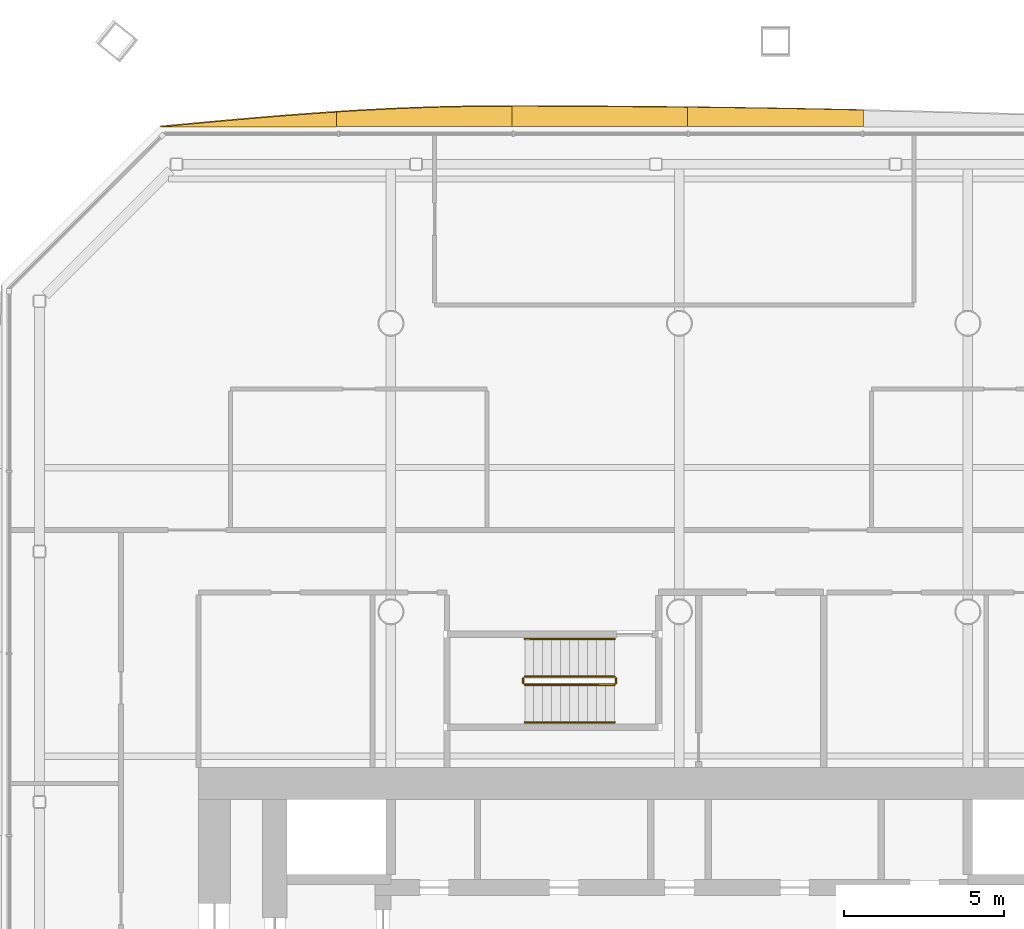
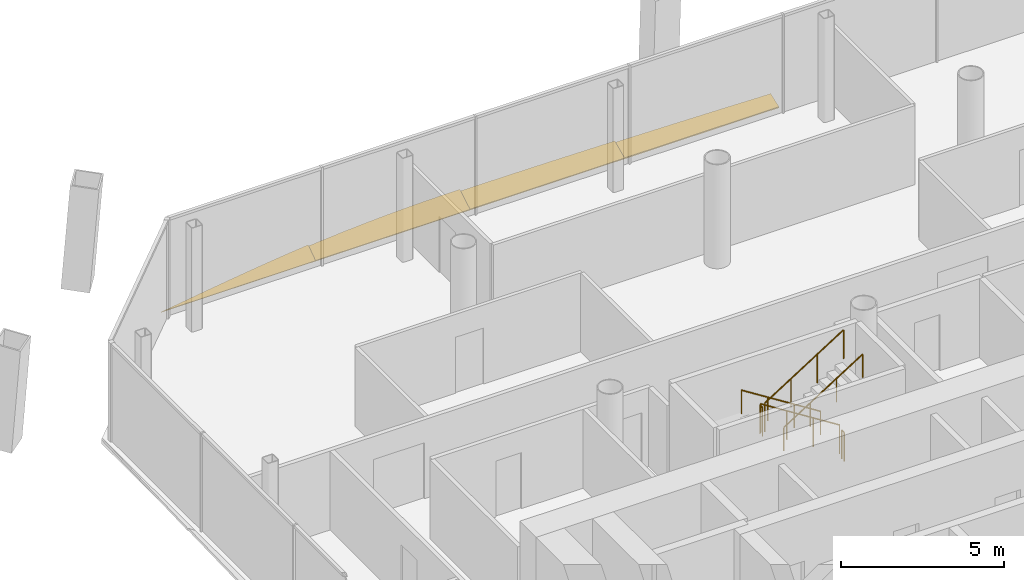
# One storey, part 18 of 19: 6 railings, 4 shading devices.
"""IFC4 building model written with IfcOpenShell, lengths in metres."""

import ifcopenshell
import ifcopenshell.guid

model = None  # the IFC model being written
_history = None  # IfcOwnerHistory: only IFC2X3 demands one
_inside = {}  # id of a spatial element -> (the spatial element, [elements in it])
_under = {}  # id of a project, library or spatial element -> (it, [spatial elements below it])
_declared = {}  # id of a project -> (the project, [libraries it declares])
_typed = {}  # id of a type object -> (the type object, [elements of that type])
_made_of = {}  # id of a material, layer set ... -> (it, [elements and type objects made of it])


def new_model(schema):
    """Start an empty IFC model of exactly this schema.

    Asked for "IFC4X3", IfcOpenShell would pick the latest addendum, in which some entities
    have other attributes; the version numbers below select the first issue.
    IFC2X3 requires an IfcOwnerHistory on every rooted entity: one is made here for all.
    """
    global model, _history
    if schema == "IFC4X3":
        model = ifcopenshell.file(schema_version=(4, 3, 0, 0))
    else:
        model = ifcopenshell.file(schema=schema)
    _inside.clear()
    _under.clear()
    _declared.clear()
    _typed.clear()
    _made_of.clear()
    _history = None
    if model.schema == "IFC2X3":
        org = make("IfcOrganization", Name="unknown")
        user = make(
            "IfcPersonAndOrganization",
            ThePerson=make("IfcPerson", FamilyName="unknown"),
            TheOrganization=org,
        )
        app = make(
            "IfcApplication",
            ApplicationDeveloper=org,
            Version="unknown",
            ApplicationFullName="unknown",
            ApplicationIdentifier="unknown",
        )
        _history = make(
            "IfcOwnerHistory",
            OwningUser=user,
            OwningApplication=app,
            ChangeAction="ADDED",
            CreationDate=0,
        )
    return model


def make(cls, **values):
    """One entity of the class cls with the attributes given. An attribute that is None is left unset."""
    return model.create_entity(
        cls, **{name: value for name, value in values.items() if value is not None}
    )


def rooted(cls, **values):
    """An entity with a GlobalId (a new one), such as an element, a storey or a relation."""
    return make(cls, GlobalId=ifcopenshell.guid.new(), OwnerHistory=_history, **values)


def si_unit(unit_type, name, prefix=None):
    """IfcSIUnit, for example si_unit("LENGTHUNIT", "METRE", prefix="MILLI")."""
    return make("IfcSIUnit", UnitType=unit_type, Prefix=prefix, Name=name)


def assignment(units):
    """IfcUnitAssignment: the units of a project."""
    return None if units is None else make("IfcUnitAssignment", Units=units)


def point(xyz):
    """IfcCartesianPoint."""
    return None if xyz is None else make("IfcCartesianPoint", Coordinates=xyz)


def direction(xyz):
    """IfcDirection."""
    return None if xyz is None else make("IfcDirection", DirectionRatios=xyz)


def frame(location, z_axis=None, x_axis=None):
    """IfcAxis2Placement3D, a coordinate frame: its origin and axes. An axis left out is left unset."""
    return make(
        "IfcAxis2Placement3D",
        Location=point(location),
        Axis=direction(z_axis),
        RefDirection=direction(x_axis),
    )


def frame_2d(location, x_axis=None):
    """IfcAxis2Placement2D, a coordinate frame in the plane: its origin and x axis."""
    return make(
        "IfcAxis2Placement2D", Location=point(location), RefDirection=direction(x_axis)
    )


def origin():
    """The frame at (0, 0, 0) with its axes left unset."""
    return frame((0.0, 0.0, 0.0))


def origin_2d():
    """The frame at (0, 0) in the plane with its x axis left unset."""
    return frame_2d((0.0, 0.0))


def place(relative_to, where):
    """IfcLocalPlacement: puts the frame where relative to a parent placement (None: the world)."""
    return make(
        "IfcLocalPlacement", PlacementRelTo=relative_to, RelativePlacement=where
    )


def context(
    kind, dimensions, precision=None, world=None, true_north=None, identifier=None
):
    """IfcGeometricRepresentationContext, for example the 3D "Model" context."""
    return make(
        "IfcGeometricRepresentationContext",
        ContextIdentifier=identifier,
        ContextType=kind,
        CoordinateSpaceDimension=dimensions,
        Precision=precision,
        WorldCoordinateSystem=world,
        TrueNorth=true_north,
    )


def subcontext(parent, identifier, kind, view, scale=None):
    """IfcGeometricRepresentationSubContext, for example "Body" below "Model"."""
    return make(
        "IfcGeometricRepresentationSubContext",
        ContextIdentifier=identifier,
        ContextType=kind,
        ParentContext=parent,
        TargetScale=scale,
        TargetView=view,
    )


def project(units=None, contexts=None):
    """IfcProject with its units and contexts."""
    return rooted(
        "IfcProject",
        Name="project",
        RepresentationContexts=contexts,
        UnitsInContext=assignment(units),
    )


def spatial(cls, under=None, at=None, **own):
    """A site, building, storey or space (cls), placed at a placement, below another one or the project."""
    s = rooted(cls, ObjectPlacement=at, **own)
    if under is not None:
        _under.setdefault(under.id(), (under, []))[1].append(s)
    return s


def polyline(points):
    """IfcPolyline through the points."""
    return make("IfcPolyline", Points=[point(p) for p in points])


def profile(cls, at=None, kind="AREA", **sizes):
    """A parametric profile (cls). Its sizes go by their IFC names, for example OverallWidth=200.0."""
    return make(cls, ProfileType=kind, Position=at, **sizes)


def circle(**sizes):
    """IfcCircleProfileDef."""
    return profile("IfcCircleProfileDef", **sizes)


def outline(outer, holes=None, kind="AREA"):
    """IfcArbitraryClosedProfileDef: a profile drawn as a closed curve; with holes, ...WithVoids."""
    if holes is None:
        return make("IfcArbitraryClosedProfileDef", ProfileType=kind, OuterCurve=outer)
    return make(
        "IfcArbitraryProfileDefWithVoids",
        ProfileType=kind,
        OuterCurve=outer,
        InnerCurves=holes,
    )


def extrude(swept, where, along, depth):
    """IfcExtrudedAreaSolid: the profile swept, set in the frame where, extruded along a direction by depth."""
    return make(
        "IfcExtrudedAreaSolid",
        SweptArea=swept,
        Position=where,
        ExtrudedDirection=direction(along),
        Depth=depth,
    )


def shape(context_of_items, identifier, shape_type, items):
    """IfcShapeRepresentation: the items that make up one representation, for example the "Body"."""
    return make(
        "IfcShapeRepresentation",
        ContextOfItems=context_of_items,
        RepresentationIdentifier=identifier,
        RepresentationType=shape_type,
        Items=items,
    )


def material(Name=None, Category=None):
    """IfcMaterial."""
    return make("IfcMaterial", Name=Name, Category=Category)


def layer(
    of_material, thickness, ventilated=None, Name=None, Category=None, Priority=None
):
    """IfcMaterialLayer: one layer of a wall or slab, of a material (None: an air gap)."""
    return make(
        "IfcMaterialLayer",
        Material=of_material,
        LayerThickness=thickness,
        IsVentilated=ventilated,
        Name=Name,
        Category=Category,
        Priority=Priority,
    )


def layer_set(layers, Name=None):
    """IfcMaterialLayerSet."""
    return make("IfcMaterialLayerSet", MaterialLayers=layers, LayerSetName=Name)


def made_of(thing, what):
    """Note that an element or type object is made of a material, layer set ...; save() writes the relation."""
    if what is not None:
        _made_of.setdefault(what.id(), (what, []))[1].append(thing)
    return thing


def type_object(cls, material=None, **own):
    """A type object (cls), such as IfcWallType, which elements share."""
    return made_of(rooted(cls, **own), material)


def element(
    cls,
    number,
    at=None,
    inside=None,
    cuts=None,
    type_object=None,
    material=None,
    context=None,
    identifier="Body",
    shape_type=None,
    held_by="IfcProductDefinitionShape",
    body=None,
    shapes=None,
    **own,
):
    """One element of the class cls, such as IfcWall. Its Tag is "e" and its number.

    at: its placement. inside: the storey or other place that contains it. cuts: it is an
    opening in that element (IfcRelVoidsElement). A single representation is given by context,
    identifier, shape_type and body (its items); several are given by shapes. held_by: the class
    of the entity that holds the representations. save() writes the other relations.
    """
    e = rooted(cls, Tag="e%d" % number, ObjectPlacement=at, **own)
    if body is not None:
        shapes = [shape(context, identifier, shape_type, body)]
    if shapes is not None:
        e.Representation = make(held_by, Representations=shapes)
    if inside is not None:
        _inside.setdefault(inside.id(), (inside, []))[1].append(e)
    if cuts is not None:
        rooted(
            "IfcRelVoidsElement", RelatingBuildingElement=cuts, RelatedOpeningElement=e
        )
    if type_object is not None:
        _typed.setdefault(type_object.id(), (type_object, []))[1].append(e)
    return made_of(e, material)


def aggregate(whole, parts):
    """IfcRelAggregates: a whole, such as a stair, and the parts it consists of."""
    return rooted("IfcRelAggregates", RelatingObject=whole, RelatedObjects=parts)


def save(model, path):
    """Write the relations noted so far, then the file.

    IfcRelAggregates (storeys below a building ...), IfcRelContainedInSpatialStructure (elements
    in a storey), IfcRelDefinesByType, IfcRelAssociatesMaterial and IfcRelDeclares: one each for
    every whole, place, type object, material and project.
    """
    for whole, parts in _under.values():
        aggregate(whole, parts)
    for where, things in _inside.values():
        rooted(
            "IfcRelContainedInSpatialStructure",
            RelatedElements=things,
            RelatingStructure=where,
        )
    for kind, things in _typed.values():
        rooted("IfcRelDefinesByType", RelatedObjects=things, RelatingType=kind)
    for what, things in _made_of.values():
        rooted("IfcRelAssociatesMaterial", RelatedObjects=things, RelatingMaterial=what)
    for by, libraries in _declared.values():
        rooted("IfcRelDeclares", RelatingContext=by, RelatedDefinitions=libraries)
    model.write(path)


model = new_model("IFC4")

# Units and contexts
model_context = context("Model", 3, precision=1e-05, world=origin(), true_north=direction((0.0, 1.0)))
body_context = subcontext(model_context, "Body", "Model", "MODEL_VIEW")
ifc_project = project(units=[si_unit("LENGTHUNIT", "METRE"), si_unit("AREAUNIT", "SQUARE_METRE"), si_unit("VOLUMEUNIT", "CUBIC_METRE"), si_unit("PLANEANGLEUNIT", "RADIAN"), si_unit("MASSUNIT", "GRAM", prefix="KILO")], contexts=[model_context])

# Site, building, storey
site_placement = place(None, origin())
site = spatial("IfcSite", under=ifc_project, at=site_placement, CompositionType="ELEMENT")
building_placement = place(site_placement, origin())
building = spatial("IfcBuilding", under=site, at=building_placement, Name="Tskaro Facet Tower", CompositionType="ELEMENT")
storey_placement = place(building_placement, frame((0.0, 0.0, 101.10009765625)))
storey = spatial("IfcBuildingStorey", under=building, at=storey_placement, Name="L24", CompositionType="ELEMENT", Elevation=101.10009765625)

# Shading devices
ifc_material_1 = material(Name="Bronze anodised aluminium 6063-T6", Category="aluminium")
ifc_layer = layer(ifc_material_1, 0.06005859375, Name="Bronze anodised aluminium 6063-T6")
ifc_layer_set = layer_set([ifc_layer], Name="Bronze anodised aluminium 6063-T6")
shading_device_type = type_object("IfcShadingDeviceType", Name="Bronze sun blade (FN1)", PredefinedType="USERDEFINED", material=ifc_layer_set)
shading_device_1_placement = place(storey_placement, frame((5.740966796875, 24.14453125, 0.056396484375), z_axis=(-8.21376e-07, -0.341915823956, 0.939730583374), x_axis=(-1.0, 2.80841e-07, -7.71872e-07)))
element("IfcShadingDevice", 1, at=shading_device_1_placement, inside=storey, type_object=shading_device_type, Name="Fin blade north 4", ObjectType="FIN", PredefinedType="USERDEFINED", context=body_context, shape_type="SweptSolid", body=[
    extrude(outline(polyline([(0.0, 0.0), (5.481933593748151, 2.902111480354013e-22), (5.481933593707675, -0.6396419127274001), (4.796630859382927, -0.6305268062504669), (4.111572265665931, -0.6206399449947059), (3.426269531306685, -0.6099813289601171), (2.74096679679306, -0.5980921053227879), (2.055664062519197, -0.5855770777756293), (1.3703613281595197, -0.5720608690376865), (0.6853027343390288, -0.5575434791089596), (-5.5146650555141514e-11, -0.5424837608133616), (0.0, 0.0)])), origin(), (0.0, 0.0, -1.0), 0.06005859375),
])
shading_device_2_placement = place(storey_placement, frame((0.259033203125, 24.1396484375, 0.05419921875), z_axis=(1.2270035e-05, -0.422748099678, 0.906247231206), x_axis=(-0.999999999925, -5.187134e-06, 1.1119685e-05)))
element("IfcShadingDevice", 2, at=shading_device_2_placement, inside=storey, type_object=shading_device_type, Name="Fin blade north 5", ObjectType="FIN", PredefinedType="USERDEFINED", context=body_context, shape_type="SweptSolid", body=[
    extrude(outline(polyline([(0.0, 0.0), (5.481933593337337, 4.643378368566421e-21), (5.481933593735252, -0.7004483023096517), (4.796874999672847, -0.6993568752772993), (4.111572264621488, -0.6971740212125944), (3.4262695306545323, -0.6942242018662657), (2.7409667963236037, -0.6901829554875845), (2.0556640628950915, -0.6848290303111031), (1.3706054684611977, -0.678604929867717), (0.6853027357531156, -0.6713926123772592), (-1.3000964316799878e-09, -0.663206909634616), (0.0, 0.0)])), origin(), (0.0, 0.0, -1.0), 0.06005859375),
])
shading_device_3_placement = place(storey_placement, frame((-5.222900390625, 24.135009765625, 0.0517578125), z_axis=(1.9248627e-05, -0.500114844434, 0.865959087952), x_axis=(-0.999999999815, -9.626524e-06, 1.6668524e-05)))
element("IfcShadingDevice", 3, at=shading_device_3_placement, inside=storey, type_object=shading_device_type, Name="Fin blade north 6", ObjectType="FIN", PredefinedType="USERDEFINED", context=body_context, shape_type="SweptSolid", body=[
    extrude(outline(polyline([(0.0, 0.0), (5.4821777333594, 0.0), (5.482177735003863, -0.5295155697719962), (4.796874999393925, -0.5779668228880689), (4.111572266655385, -0.6203017483496525), (3.426269530368553, -0.6566096635990284), (2.741210936489824, -0.6859228071134976), (2.0559082014190633, -0.7084525946860564), (1.37060546813145, -0.7239876105237084), (0.6853027331885084, -0.7318608263390325), (0.29614257981809106, -0.7330727845631606), (-2.321510932966407e-09, -0.7329506862124461), (0.0, 0.0)])), origin(), (0.0, 0.0, -1.0), 0.06005859375),
])
shading_device_4_placement = place(storey_placement, frame((-10.705078125, 24.130615234375, 0.049072265625), z_axis=(2.73769e-06, -0.573607686554, 0.819130161768), x_axis=(-0.999999999996, -1.57036e-06, 2.242524e-06)))
element("IfcShadingDevice", 4, at=shading_device_4_placement, inside=storey, type_object=shading_device_type, Name="Fin blade north 7", ObjectType="FIN", PredefinedType="USERDEFINED", context=body_context, shape_type="SweptSolid", body=[
    extrude(outline(polyline([(0.0, 0.0), (5.481933593729456, 0.0), (4.796630859100103, -0.07802302466403618), (4.111328125073423, -0.15530605954001797), (3.426269531398722, -0.23102901591134117), (2.740966796881182, -0.3043118630508508), (2.0556640623650906, -0.3746145941201438), (1.3703613279056293, -0.4410571783920652), (0.685058594105474, -0.5028996260785606), (-5.285066317477701e-11, -0.5597218143623284), (0.0, 0.0)])), origin(), (0.0, 0.0, -1.0), 0.06005859375),
])

# Railings
ifc_material_2 = material(Name="Stainless steel", Category="steel")
railing_type_1 = type_object("IfcRailingType", Name="RL-GUARD-1100", PredefinedType="GUARDRAIL", material=ifc_material_2)
railing_1_placement = place(storey_placement, frame((-2.02490234375, 6.97509765625, 0.17724609375)))
element("IfcRailing", 5, at=railing_1_placement, inside=storey, type_object=railing_type_1, Name="L24 ST-3 stair guard 1", PredefinedType="GUARDRAIL", context=body_context, shape_type="SweptSolid", body=[
    extrude(circle(Radius=0.02392578125, at=origin_2d()), frame((0.0, 0.0, 1.076171875), z_axis=(-0.844908973607, 0.0, 0.534910110503), x_axis=(0.0, -1.0, 0.0)), (0.0, 0.0, 1.0), 3.31396484375),
    extrude(circle(Radius=0.02099609375, at=origin_2d()), origin(), (0.0, 0.0, 1.0), 1.052001953125),
    extrude(circle(Radius=0.02099609375, at=origin_2d()), frame((-0.933349609375, 0.0, 0.5908203125)), (0.0, 0.0, 1.0), 1.052001953125),
    extrude(circle(Radius=0.02099609375, at=origin_2d()), frame((-1.86669921875, 0.0, 1.181884765625)), (0.0, 0.0, 1.0), 1.052001953125),
    extrude(circle(Radius=0.02099609375, at=origin_2d()), frame((-2.800048828125, 0.0, 1.772705078125)), (0.0, 0.0, 1.0), 1.052001953125),
])
railing_2_placement = place(storey_placement, frame((-4.875, 6.925048828125, 1.949951171875)))
element("IfcRailing", 6, at=railing_2_placement, inside=storey, type_object=railing_type_1, Name="L24 ST-3 stair guard 2", PredefinedType="GUARDRAIL", context=body_context, shape_type="SweptSolid", body=[
    extrude(circle(Radius=0.02392578125, at=origin_2d()), frame((0.0, 0.0, 1.076171875), z_axis=(0.0, -1.0, 0.0), x_axis=(1.0, 0.0, 0.0)), (0.0, 0.0, 1.0), 0.150146484375),
    extrude(circle(Radius=0.02099609375, at=origin_2d()), origin(), (0.0, 0.0, 1.0), 1.052001953125),
    extrude(circle(Radius=0.02099609375, at=origin_2d()), frame((0.0, -0.150146484375, 0.0)), (0.0, 0.0, 1.0), 1.052001953125),
])
railing_3_placement = place(storey_placement, frame((-4.824951171875, 6.72509765625, 2.127197265625)))
element("IfcRailing", 7, at=railing_3_placement, inside=storey, type_object=railing_type_1, Name="L24 ST-3 stair guard 3", PredefinedType="GUARDRAIL", context=body_context, shape_type="SweptSolid", body=[
    extrude(circle(Radius=0.02392578125, at=origin_2d()), frame((0.0, 0.0, 1.076171875), z_axis=(0.844908973607, 0.0, 0.534910110503), x_axis=(0.0, 1.0, 0.0)), (0.0, 0.0, 1.0), 3.31396484375),
    extrude(circle(Radius=0.02099609375, at=origin_2d()), origin(), (0.0, 0.0, 1.0), 1.052001953125),
    extrude(circle(Radius=0.02099609375, at=origin_2d()), frame((0.933349609375, 0.0, 0.5908203125)), (0.0, 0.0, 1.0), 1.052001953125),
    extrude(circle(Radius=0.02099609375, at=origin_2d()), frame((1.86669921875, 0.0, 1.181884765625)), (0.0, 0.0, 1.0), 1.052001953125),
    extrude(circle(Radius=0.02099609375, at=origin_2d()), frame((2.800048828125, 0.0, 1.772705078125)), (0.0, 0.0, 1.0), 1.052001953125),
])
railing_4_placement = place(storey_placement, frame((-1.97509765625, 6.925048828125, 0.0)))
element("IfcRailing", 8, at=railing_4_placement, inside=storey, type_object=railing_type_1, Name="L24 ST-3 stair guard 4", PredefinedType="GUARDRAIL", context=body_context, shape_type="SweptSolid", body=[
    extrude(circle(Radius=0.02392578125, at=origin_2d()), frame((0.0, 0.0, 1.076171875), z_axis=(0.0, -1.0, 0.0), x_axis=(1.0, 0.0, 0.0)), (0.0, 0.0, 1.0), 0.150146484375),
    extrude(circle(Radius=0.02099609375, at=origin_2d()), origin(), (0.0, 0.0, 1.0), 1.052001953125),
    extrude(circle(Radius=0.02099609375, at=origin_2d()), frame((0.0, -0.150146484375, 0.0)), (0.0, 0.0, 1.0), 1.052001953125),
])
railing_type_2 = type_object("IfcRailingType", Name="RL-HANDRAIL-900", PredefinedType="HANDRAIL", material=ifc_material_2)
railing_5_placement = place(storey_placement, frame((-2.02490234375, 8.14990234375, 0.17724609375)))
element("IfcRailing", 9, at=railing_5_placement, inside=storey, type_object=railing_type_2, Name="L24 ST-3 stair handrail 1", PredefinedType="HANDRAIL", context=body_context, shape_type="SweptSolid", body=[
    extrude(circle(Radius=0.02392578125, at=origin_2d()), frame((0.0, 0.0, 0.8759765625), z_axis=(-0.844908973607, 0.0, 0.534910110503), x_axis=(0.0, -1.0, 0.0)), (0.0, 0.0, 1.0), 3.31396484375),
    extrude(circle(Radius=0.02099609375, at=origin_2d()), origin(), (0.0, 0.0, 1.0), 0.851806640625),
    extrude(circle(Radius=0.02099609375, at=origin_2d()), frame((-0.933349609375, 0.0, 0.5908203125)), (0.0, 0.0, 1.0), 0.851806640625),
    extrude(circle(Radius=0.02099609375, at=origin_2d()), frame((-1.86669921875, 0.0, 1.181884765625)), (0.0, 0.0, 1.0), 0.851806640625),
    extrude(circle(Radius=0.02099609375, at=origin_2d()), frame((-2.800048828125, 0.0, 1.772705078125)), (0.0, 0.0, 1.0), 0.851806640625),
])
railing_6_placement = place(storey_placement, frame((-4.824951171875, 5.550048828125, 2.127197265625)))
element("IfcRailing", 10, at=railing_6_placement, inside=storey, type_object=railing_type_2, Name="L24 ST-3 stair handrail 2", PredefinedType="HANDRAIL", context=body_context, shape_type="SweptSolid", body=[
    extrude(circle(Radius=0.02392578125, at=origin_2d()), frame((0.0, 0.0, 0.8759765625), z_axis=(0.844908973607, 0.0, 0.534910110503), x_axis=(0.0, 1.0, 0.0)), (0.0, 0.0, 1.0), 3.31396484375),
    extrude(circle(Radius=0.02099609375, at=origin_2d()), origin(), (0.0, 0.0, 1.0), 0.851806640625),
    extrude(circle(Radius=0.02099609375, at=origin_2d()), frame((0.933349609375, 0.0, 0.5908203125)), (0.0, 0.0, 1.0), 0.851806640625),
    extrude(circle(Radius=0.02099609375, at=origin_2d()), frame((1.86669921875, 0.0, 1.181884765625)), (0.0, 0.0, 1.0), 0.851806640625),
    extrude(circle(Radius=0.02099609375, at=origin_2d()), frame((2.800048828125, 0.0, 1.772705078125)), (0.0, 0.0, 1.0), 0.851806640625),
])

save(model, "model.ifc")
